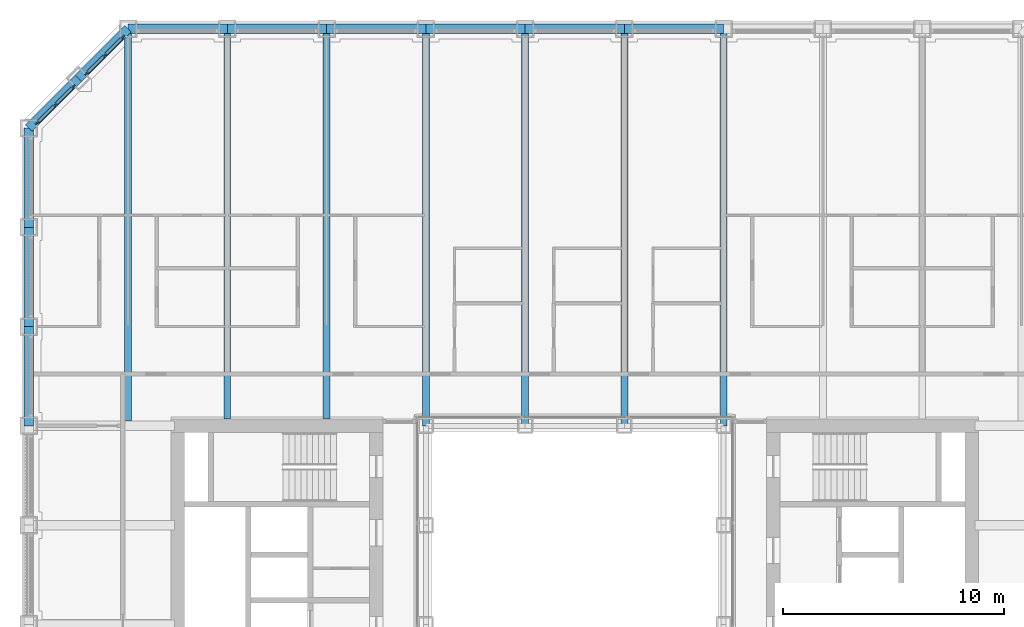
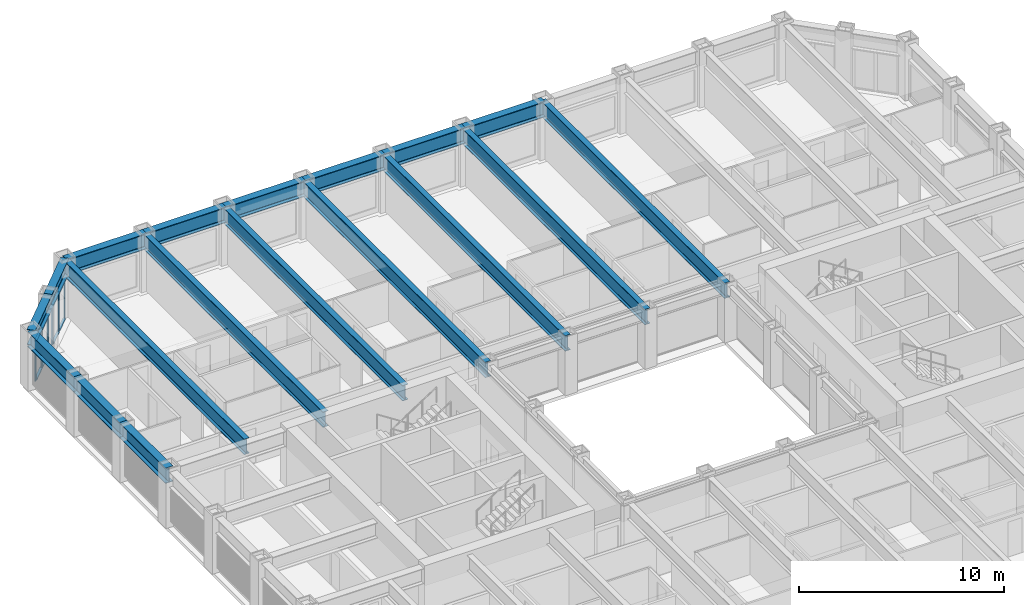
# One storey, part 6 of 21: 18 beams, 14 members, 2 elements without a shape of their own.
"""IFC4 building model written with IfcOpenShell, lengths in metres."""

from ifc_helpers import new_model, si_unit, direction, frame, origin, origin_2d, place, context, subcontext, project, spatial, rectangle, i_section, extrude, material, material_profile, profile_set, type_object, element, aggregate, save


model = new_model("IFC4")

# Units and contexts
model_context = context("Model", 3, precision=1e-05, world=origin(), true_north=direction((0.0, 1.0)))
body_context = subcontext(model_context, "Body", "Model", "MODEL_VIEW")
ifc_project = project(units=[si_unit("LENGTHUNIT", "METRE"), si_unit("AREAUNIT", "SQUARE_METRE"), si_unit("VOLUMEUNIT", "CUBIC_METRE"), si_unit("PLANEANGLEUNIT", "RADIAN"), si_unit("MASSUNIT", "GRAM", prefix="KILO")], contexts=[model_context])

# Site, building, storey
site_placement = place(None, origin())
site = spatial("IfcSite", under=ifc_project, at=site_placement, CompositionType="ELEMENT")
building_placement = place(site_placement, origin())
building = spatial("IfcBuilding", under=site, at=building_placement, Name="Msasa Ring Tower", CompositionType="ELEMENT")
storey_placement = place(building_placement, frame((0.0, 0.0, 37.0)))
storey = spatial("IfcBuildingStorey", under=building, at=storey_placement, Name="L08", CompositionType="ELEMENT", Elevation=37.0)

# Curtain wall, members
ifc_material_1 = material(Name="Aluminium curtain wall with clear glass", Category="aluminium")
curtain_wall_type = type_object("IfcCurtainWallType", Name="CW-C CHAMFER CORNER CURTAIN WALL", PredefinedType="NOTDEFINED", material=ifc_material_1)
curtain_wall_1_placement = place(storey_placement, origin())
curtain_wall_1 = element("IfcCurtainWall", 1, at=curtain_wall_1_placement, inside=storey, type_object=curtain_wall_type, Name="Chamfer corner curtain wall NW L08", PredefinedType="NOTDEFINED")
ifc_material_2 = material(Name="Aluminium mullion", Category="aluminium")
ifc_material_profile_1 = material_profile(ifc_material_2, rectangle(XDim=0.06494140625, YDim=0.179931640625, at=origin_2d()), Name="AL 65x180")
ifc_profile_set_1 = profile_set([ifc_material_profile_1], Name="Aluminium mullion")
member_type_1 = type_object("IfcMemberType", Name="CW-C MULLION 65x180", PredefinedType="MULLION", material=ifc_profile_set_1)
member_1_placement = place(storey_placement, frame((-22.73876953125, 22.119873046875, 0.0), z_axis=(0.0, 0.0, 1.0), x_axis=(0.707106781187, -0.707106781187, 0.0)))
member_1 = element("IfcMember", 2, at=member_1_placement, type_object=member_type_1, Name="CW-C mullion 1", PredefinedType="MULLION", context=body_context, shape_type="SweptSolid", body=[
    extrude(rectangle(XDim=0.06494140625, YDim=0.179931640625, at=origin_2d()), origin(), (0.0, 0.0, 1.0), 2.37890625),
])
member_2_placement = place(storey_placement, frame((-23.55419921875, 21.30419921875, 0.0), z_axis=(0.0, 0.0, 1.0), x_axis=(0.707106781187, -0.707106781187, 0.0)))
member_2 = element("IfcMember", 3, at=member_2_placement, type_object=member_type_1, Name="CW-C mullion 2", PredefinedType="MULLION", context=body_context, shape_type="SweptSolid", body=[
    extrude(rectangle(XDim=0.06494140625, YDim=0.179931640625, at=origin_2d()), origin(), (0.0, 0.0, 1.0), 2.37890625),
])
member_3_placement = place(storey_placement, frame((-24.369873046875, 20.48876953125, 0.0), z_axis=(0.0, 0.0, 1.0), x_axis=(0.707106781187, -0.707106781187, 0.0)))
member_3 = element("IfcMember", 4, at=member_3_placement, type_object=member_type_1, Name="CW-C mullion 3", PredefinedType="MULLION", context=body_context, shape_type="SweptSolid", body=[
    extrude(rectangle(XDim=0.06494140625, YDim=0.179931640625, at=origin_2d()), origin(), (0.0, 0.0, 1.0), 2.37890625),
])

curtain_wall_2_placement = place(storey_placement, origin())
curtain_wall_2 = element("IfcCurtainWall", 5, at=curtain_wall_2_placement, inside=storey, type_object=curtain_wall_type, Name="Chamfer corner curtain wall NW L08", PredefinedType="NOTDEFINED")
member_4_placement = place(storey_placement, frame((-20.48876953125, 24.369873046875, 0.0), z_axis=(0.0, 0.0, 1.0), x_axis=(0.707106781187, -0.707106781187, 0.0)))
member_4 = element("IfcMember", 6, at=member_4_placement, type_object=member_type_1, Name="CW-C mullion 1", PredefinedType="MULLION", context=body_context, shape_type="SweptSolid", body=[
    extrude(rectangle(XDim=0.06494140625, YDim=0.179931640625, at=origin_2d()), origin(), (0.0, 0.0, 1.0), 2.37890625),
])
member_5_placement = place(storey_placement, frame((-21.30419921875, 23.55419921875, 0.0), z_axis=(0.0, 0.0, 1.0), x_axis=(0.707106781187, -0.707106781187, 0.0)))
member_5 = element("IfcMember", 7, at=member_5_placement, type_object=member_type_1, Name="CW-C mullion 2", PredefinedType="MULLION", context=body_context, shape_type="SweptSolid", body=[
    extrude(rectangle(XDim=0.06494140625, YDim=0.179931640625, at=origin_2d()), origin(), (0.0, 0.0, 1.0), 2.37890625),
])
member_6_placement = place(storey_placement, frame((-22.119873046875, 22.73876953125, 0.0), z_axis=(0.0, 0.0, 1.0), x_axis=(0.707106781187, -0.707106781187, 0.0)))
member_6 = element("IfcMember", 8, at=member_6_placement, type_object=member_type_1, Name="CW-C mullion 3", PredefinedType="MULLION", context=body_context, shape_type="SweptSolid", body=[
    extrude(rectangle(XDim=0.06494140625, YDim=0.179931640625, at=origin_2d()), origin(), (0.0, 0.0, 1.0), 2.37890625),
])

# Member
ifc_material_3 = material(Name="Aluminium transom", Category="aluminium")
ifc_material_profile_2 = material_profile(ifc_material_3, rectangle(XDim=0.139892578125, YDim=0.06494140625, at=origin_2d()), Name="AL 65x140")
ifc_profile_set_2 = profile_set([ifc_material_profile_2], Name="Aluminium transom")
member_type_2 = type_object("IfcMemberType", Name="CW-C TRANSOM 65x140", PredefinedType="USERDEFINED", material=ifc_profile_set_2)
member_7_placement = place(storey_placement, frame((-22.76171875, 22.096923828125, 0.032470703125), z_axis=(-0.707106781187, -0.707106781187, 0.0), x_axis=(0.707106781187, -0.707106781187, 0.0)))
member_7 = element("IfcMember", 9, at=member_7_placement, type_object=member_type_2, Name="CW-C transom 1.1", ObjectType="TRANSOM", PredefinedType="USERDEFINED", context=body_context, shape_type="SweptSolid", body=[
    extrude(rectangle(XDim=0.139892578125, YDim=0.06494140625, at=origin_2d()), origin(), (0.0, 0.0, 1.0), 1.08837890625),
])

member_8_placement = place(storey_placement, frame((-22.76171875, 22.096923828125, 2.346435546875), z_axis=(-0.707106781187, -0.707106781187, 0.0), x_axis=(0.707106781187, -0.707106781187, 0.0)))
member_8 = element("IfcMember", 10, at=member_8_placement, type_object=member_type_2, Name="CW-C transom 1.2", ObjectType="TRANSOM", PredefinedType="USERDEFINED", context=body_context, shape_type="SweptSolid", body=[
    extrude(rectangle(XDim=0.139892578125, YDim=0.06494140625, at=origin_2d()), origin(), (0.0, 0.0, 1.0), 1.08837890625),
])

member_9_placement = place(storey_placement, frame((-23.577392578125, 21.28125, 0.032470703125), z_axis=(-0.707106781187, -0.707106781187, 0.0), x_axis=(0.707106781187, -0.707106781187, 0.0)))
member_9 = element("IfcMember", 11, at=member_9_placement, type_object=member_type_2, Name="CW-C transom 2.1", ObjectType="TRANSOM", PredefinedType="USERDEFINED", context=body_context, shape_type="SweptSolid", body=[
    extrude(rectangle(XDim=0.139892578125, YDim=0.06494140625, at=origin_2d()), origin(), (0.0, 0.0, 1.0), 1.08837890625),
])

member_10_placement = place(storey_placement, frame((-23.577392578125, 21.28125, 2.346435546875), z_axis=(-0.707106781187, -0.707106781187, 0.0), x_axis=(0.707106781187, -0.707106781187, 0.0)))
member_10 = element("IfcMember", 12, at=member_10_placement, type_object=member_type_2, Name="CW-C transom 2.2", ObjectType="TRANSOM", PredefinedType="USERDEFINED", context=body_context, shape_type="SweptSolid", body=[
    extrude(rectangle(XDim=0.139892578125, YDim=0.06494140625, at=origin_2d()), origin(), (0.0, 0.0, 1.0), 1.08837890625),
])

aggregate(curtain_wall_1, [member_1, member_2, member_3, member_7, member_8, member_9, member_10])

member_11_placement = place(storey_placement, frame((-20.51171875, 24.346923828125, 0.032470703125), z_axis=(-0.707106781187, -0.707106781187, 0.0), x_axis=(0.707106781187, -0.707106781187, 0.0)))
member_11 = element("IfcMember", 13, at=member_11_placement, type_object=member_type_2, Name="CW-C transom 1.1", ObjectType="TRANSOM", PredefinedType="USERDEFINED", context=body_context, shape_type="SweptSolid", body=[
    extrude(rectangle(XDim=0.139892578125, YDim=0.06494140625, at=origin_2d()), origin(), (0.0, 0.0, 1.0), 1.08837890625),
])

member_12_placement = place(storey_placement, frame((-20.51171875, 24.346923828125, 2.346435546875), z_axis=(-0.707106781187, -0.707106781187, 0.0), x_axis=(0.707106781187, -0.707106781187, 0.0)))
member_12 = element("IfcMember", 14, at=member_12_placement, type_object=member_type_2, Name="CW-C transom 1.2", ObjectType="TRANSOM", PredefinedType="USERDEFINED", context=body_context, shape_type="SweptSolid", body=[
    extrude(rectangle(XDim=0.139892578125, YDim=0.06494140625, at=origin_2d()), origin(), (0.0, 0.0, 1.0), 1.08837890625),
])

member_13_placement = place(storey_placement, frame((-21.327392578125, 23.53125, 0.032470703125), z_axis=(-0.707106781187, -0.707106781187, 0.0), x_axis=(0.707106781187, -0.707106781187, 0.0)))
member_13 = element("IfcMember", 15, at=member_13_placement, type_object=member_type_2, Name="CW-C transom 2.1", ObjectType="TRANSOM", PredefinedType="USERDEFINED", context=body_context, shape_type="SweptSolid", body=[
    extrude(rectangle(XDim=0.139892578125, YDim=0.06494140625, at=origin_2d()), origin(), (0.0, 0.0, 1.0), 1.08837890625),
])

member_14_placement = place(storey_placement, frame((-21.327392578125, 23.53125, 2.346435546875), z_axis=(-0.707106781187, -0.707106781187, 0.0), x_axis=(0.707106781187, -0.707106781187, 0.0)))
member_14 = element("IfcMember", 16, at=member_14_placement, type_object=member_type_2, Name="CW-C transom 2.2", ObjectType="TRANSOM", PredefinedType="USERDEFINED", context=body_context, shape_type="SweptSolid", body=[
    extrude(rectangle(XDim=0.139892578125, YDim=0.06494140625, at=origin_2d()), origin(), (0.0, 0.0, 1.0), 1.08837890625),
])

aggregate(curtain_wall_2, [member_4, member_5, member_6, member_11, member_12, member_13, member_14])

# Beams
ifc_material_4 = material(Name="Steel S355", Category="steel")
ifc_material_profile_3 = material_profile(ifc_material_4, i_section(OverallWidth=0.3076171875, OverallDepth=0.926513671875, WebThickness=0.01953125, FlangeThickness=0.031982421875, FilletRadius=0.01904296875, at=origin_2d()), Name="UB 914x305x289")
ifc_profile_set_3 = profile_set([ifc_material_profile_3], Name="Steel S355")
beam_type_1 = type_object("IfcBeamType", Name="FB3 UB 914x305x289", PredefinedType="BEAM", material=ifc_profile_set_3)
beam_placement = place(storey_placement, frame((-20.25, 24.75, 2.836669921875), z_axis=(0.0, -1.0, 0.0), x_axis=(1.0, 0.0, 0.0)))
element("IfcBeam", 17, at=beam_placement, inside=storey, type_object=beam_type_1, Name="Floor beam N-20.25 under L09", PredefinedType="BEAM", context=body_context, shape_type="SweptSolid", body=[
    extrude(i_section(OverallWidth=0.3076171875, OverallDepth=0.926513671875, WebThickness=0.01953125, FlangeThickness=0.031982421875, FilletRadius=0.01904296875, at=origin_2d()), origin(), (0.0, 0.0, 1.0), 17.789794921875),
])
for number, where, z_axis, x_axis, name in (
    (18, (-15.75, 24.75, 2.836669921875), (0.0, -1.0, 0.0), (1.0, 0.0, 0.0), "Floor beam N-15.75 under L09"),
    (19, (-11.25, 24.75, 2.836669921875), (0.0, -1.0, 0.0), (1.0, 0.0, 0.0), "Floor beam N-11.25 under L09"),
):
    element("IfcBeam", number, at=place(storey_placement, frame(where, z_axis=z_axis, x_axis=x_axis)), inside=storey, type_object=beam_type_1, Name=name, PredefinedType="BEAM", context=body_context, shape_type="SweptSolid", body=[
        extrude(i_section(OverallWidth=0.3076171875, OverallDepth=0.926513671875, WebThickness=0.01953125, FlangeThickness=0.031982421875, FilletRadius=0.01904296875, at=origin_2d()), origin(), (0.0, 0.0, 1.0), 17.699951171875),
    ])
for number, where, z_axis, x_axis, name in (
    (20, (-6.75, 24.75, 2.836669921875), (0.0, -1.0, 0.0), (1.0, 0.0, 0.0), "Floor beam N-6.75 under L09"),
    (21, (-2.25, 24.75, 2.836669921875), (0.0, -1.0, 0.0), (1.0, 0.0, 0.0), "Floor beam N-2.25 under L09"),
    (22, (2.25, 24.75, 2.836669921875), (0.0, -1.0, 0.0), (1.0, 0.0, 0.0), "Floor beam N+2.25 under L09"),
    (23, (6.75, 24.75, 2.836669921875), (0.0, -1.0, 0.0), (1.0, 0.0, 0.0), "Floor beam N+6.75 under L09"),
):
    element("IfcBeam", number, at=place(storey_placement, frame(where, z_axis=z_axis, x_axis=x_axis)), inside=storey, type_object=beam_type_1, Name=name, PredefinedType="BEAM", context=body_context, shape_type="SweptSolid", body=[
        extrude(i_section(OverallWidth=0.3076171875, OverallDepth=0.926513671875, WebThickness=0.01953125, FlangeThickness=0.031982421875, FilletRadius=0.01904296875, at=origin_2d()), origin(), (0.0, 0.0, 1.0), 18.0),
    ])
ifc_material_5 = material(Name="Steel S355", Category="steel")
ifc_material_profile_4 = material_profile(ifc_material_5, i_section(OverallWidth=0.42041015625, OverallDepth=0.9208984375, WebThickness=0.021484375, FlangeThickness=0.03662109375, FilletRadius=0.024169921875, at=origin_2d()), Name="UB 914x419x388")
ifc_profile_set_4 = profile_set([ifc_material_profile_4], Name="Steel S355")
beam_type_2 = type_object("IfcBeamType", Name="SB1 UB 914x419x388", PredefinedType="SPANDREL", material=ifc_profile_set_4)
for number, where, z_axis, x_axis, name in (
    (24, (6.75, 24.75, 2.839599609375), (-1.0, 0.0, 0.0), (0.0, -1.0, 0.0), "Spandrel N+6.75 to N+2.25 under L09"),
    (25, (2.25, 24.75, 2.839599609375), (-1.0, 0.0, 0.0), (0.0, -1.0, 0.0), "Spandrel N+2.25 to N-2.25 under L09"),
    (26, (-2.25, 24.75, 2.839599609375), (-1.0, 0.0, 0.0), (0.0, -1.0, 0.0), "Spandrel N-2.25 to N-6.75 under L09"),
    (27, (-6.75, 24.75, 2.839599609375), (-1.0, 0.0, 0.0), (0.0, -1.0, 0.0), "Spandrel N-6.75 to N-11.25 under L09"),
    (28, (-11.25, 24.75, 2.839599609375), (-1.0, 0.0, 0.0), (0.0, -1.0, 0.0), "Spandrel N-11.25 to N-15.75 under L09"),
    (29, (-15.75, 24.75, 2.839599609375), (-1.0, 0.0, 0.0), (0.0, -1.0, 0.0), "Spandrel N-15.75 to N-20.25 under L09"),
):
    element("IfcBeam", number, at=place(storey_placement, frame(where, z_axis=z_axis, x_axis=x_axis)), inside=storey, type_object=beam_type_2, Name=name, PredefinedType="SPANDREL", context=body_context, shape_type="SweptSolid", body=[
        extrude(i_section(OverallWidth=0.42041015625, OverallDepth=0.9208984375, WebThickness=0.021484375, FlangeThickness=0.03662109375, FilletRadius=0.024169921875, at=origin_2d()), origin(), (0.0, 0.0, 1.0), 4.5),
    ])
for number, where, z_axis, x_axis, name in (
    (30, (-20.25, 24.75, 2.839599609375), (-0.707106781187, -0.707106781187, 0.0), (0.707106781187, -0.707106781187, 0.0), "Spandrel N-20.25 to NW under L09"),
    (31, (-22.5, 22.5, 2.839599609375), (-0.707106781187, -0.707106781187, 0.0), (0.707106781187, -0.707106781187, 0.0), "Spandrel NW to W+20.25 under L09"),
):
    element("IfcBeam", number, at=place(storey_placement, frame(where, z_axis=z_axis, x_axis=x_axis)), inside=storey, type_object=beam_type_2, Name=name, PredefinedType="SPANDREL", context=body_context, shape_type="SweptSolid", body=[
        extrude(i_section(OverallWidth=0.42041015625, OverallDepth=0.9208984375, WebThickness=0.021484375, FlangeThickness=0.03662109375, FilletRadius=0.024169921875, at=origin_2d()), origin(), (0.0, 0.0, 1.0), 3.181884765625),
    ])
for number, where, z_axis, x_axis, name in (
    (32, (-24.75, 20.25, 2.839599609375), (0.0, -1.0, 0.0), (1.0, 0.0, 0.0), "Spandrel W+20.25 to W+15.75 under L09"),
    (33, (-24.75, 15.75, 2.839599609375), (0.0, -1.0, 0.0), (1.0, 0.0, 0.0), "Spandrel W+15.75 to W+11.25 under L09"),
    (34, (-24.75, 11.25, 2.839599609375), (0.0, -1.0, 0.0), (1.0, 0.0, 0.0), "Spandrel W+11.25 to W+6.75 under L09"),
):
    element("IfcBeam", number, at=place(storey_placement, frame(where, z_axis=z_axis, x_axis=x_axis)), inside=storey, type_object=beam_type_2, Name=name, PredefinedType="SPANDREL", context=body_context, shape_type="SweptSolid", body=[
        extrude(i_section(OverallWidth=0.42041015625, OverallDepth=0.9208984375, WebThickness=0.021484375, FlangeThickness=0.03662109375, FilletRadius=0.024169921875, at=origin_2d()), origin(), (0.0, 0.0, 1.0), 4.5),
    ])

save(model, "model.ifc")
